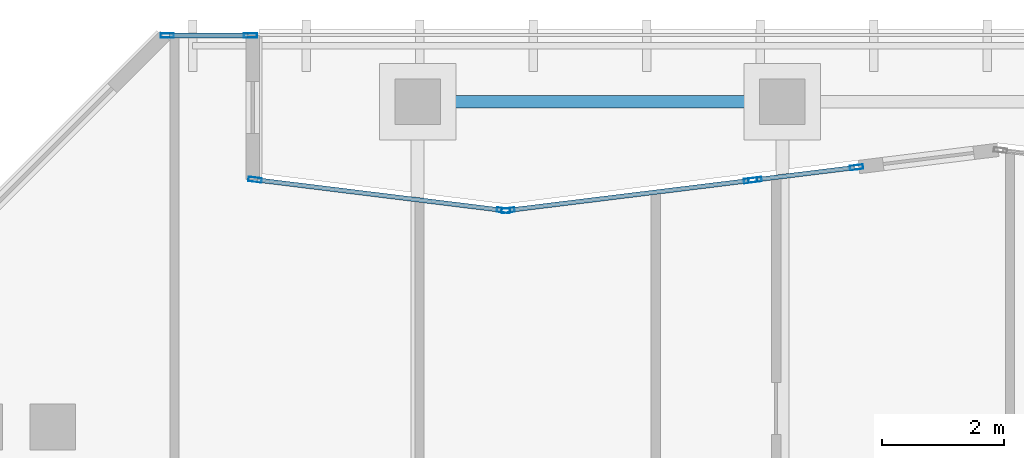
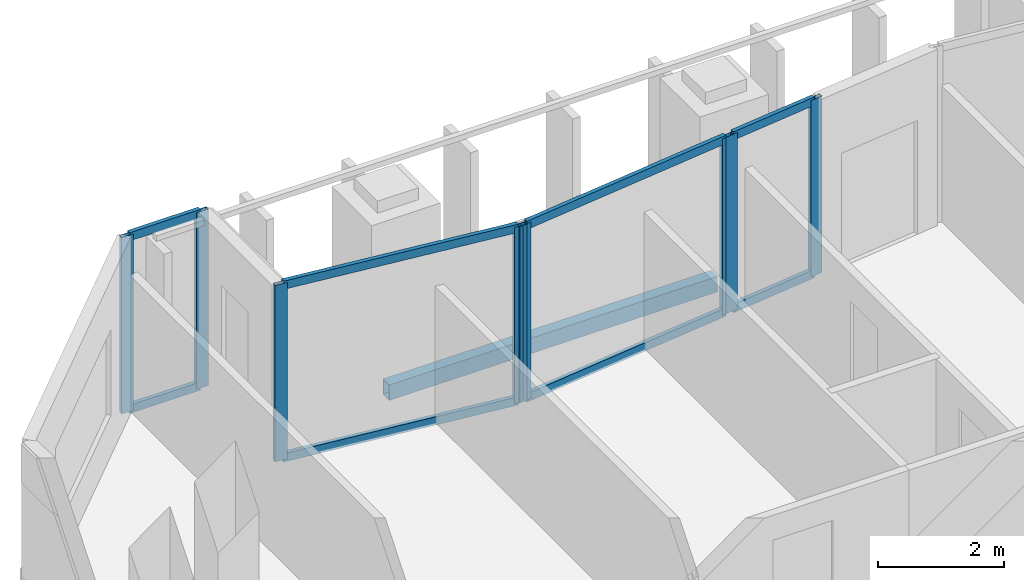
# One storey, part 10 of 31: 16 members, 1 beam, 4 elements without a shape of their own.
"""IFC4 building model written with IfcOpenShell, lengths in metres."""

from ifc_helpers import new_model, si_unit, direction, frame, origin, origin_2d, place, context, subcontext, project, spatial, hollow_rectangle, extrude, material, layer, layer_set, material_profile, profile_set, type_object, element, aggregate, save


model = new_model("IFC4")

# Units and contexts
model_context = context("Model", 3, precision=1e-05, world=origin(), true_north=direction((0.0, 1.0)))
body_context = subcontext(model_context, "Body", "Model", "MODEL_VIEW")
ifc_project = project(units=[si_unit("LENGTHUNIT", "METRE"), si_unit("AREAUNIT", "SQUARE_METRE"), si_unit("VOLUMEUNIT", "CUBIC_METRE"), si_unit("PLANEANGLEUNIT", "RADIAN"), si_unit("MASSUNIT", "GRAM", prefix="KILO")], contexts=[model_context])

# Site, building, storey
site_placement = place(None, origin())
site = spatial("IfcSite", under=ifc_project, at=site_placement, CompositionType="ELEMENT")
building_placement = place(site_placement, origin())
building = spatial("IfcBuilding", under=site, at=building_placement, Name="Tanjung Sevakor Pilgrim Tower", CompositionType="ELEMENT")
storey_placement = place(building_placement, frame((0.0, 0.0, 208.22998046875)))
storey = spatial("IfcBuildingStorey", under=building, at=storey_placement, Name="L58", CompositionType="ELEMENT", Elevation=208.22998046875)

# Beam
ifc_material_1 = material(Name="Steel S355J2", Category="steel")
ifc_material_profile_1 = material_profile(ifc_material_1, hollow_rectangle(XDim=0.199951171875, YDim=0.300048828125, WallThickness=0.012451171875, at=origin_2d()))
ifc_profile_set_1 = profile_set([ifc_material_profile_1], Name="Steel S355J2")
beam_type = type_object("IfcBeamType", Name="BM-B-SP3-RHS_300x200x12.5", PredefinedType="SPANDREL", material=ifc_profile_set_1)
beam_placement = place(storey_placement, frame((30.0, 53.949951171875, -0.369873046875), z_axis=(1.0, 0.0, 0.0), x_axis=(0.0, 1.0, 0.0)))
element("IfcBeam", 1, at=beam_placement, inside=storey, type_object=beam_type, Name="L58 Spandrel MAIN N-02", PredefinedType="SPANDREL", context=body_context, shape_type="SweptSolid", body=[
    extrude(hollow_rectangle(XDim=0.199951171875, YDim=0.300048828125, WallThickness=0.012451171875, at=origin_2d()), origin(), (0.0, 0.0, 1.0), 6.0),
])

# Curtain wall, members
ifc_material_2 = material(Name="Aluminium 6063-T6 and Low-E Glass", Category="aluminium")
ifc_layer = layer(ifc_material_2, 0.199951171875)
ifc_layer_set = layer_set([ifc_layer], Name="CW-SYS-PRAY")
curtain_wall_type = type_object("IfcCurtainWallType", Name="CW-SYS-PRAY", PredefinedType="NOTDEFINED", material=ifc_layer_set)
curtain_wall_1_placement = place(storey_placement, origin())
curtain_wall_1 = element("IfcCurtainWall", 2, at=curtain_wall_1_placement, inside=storey, type_object=curtain_wall_type, Name="L58 Curtain Wall CW-PRY-L58-28B", PredefinedType="NOTDEFINED")
ifc_material_3 = material(Name="Aluminium 6063-T6", Category="aluminium")
ifc_material_profile_2 = material_profile(ifc_material_3, hollow_rectangle(XDim=0.074951171875, YDim=0.219970703125, WallThickness=0.0048828125, at=origin_2d()))
ifc_profile_set_2 = profile_set([ifc_material_profile_2], Name="Aluminium 6063-T6")
member_type_1 = type_object("IfcMemberType", Name="TYPE-CWM-2", PredefinedType="MULLION", material=ifc_profile_set_2)
member_1_placement = place(storey_placement, frame((37.22021484375, 52.87158203125, 0.0), z_axis=(0.0, 0.0, 1.0), x_axis=(0.122528648154, -0.992464976904, 0.0)))
member_1 = element("IfcMember", 3, at=member_1_placement, type_object=member_type_1, Name="CW-PRY mullion 1", PredefinedType="MULLION", context=body_context, shape_type="SweptSolid", body=[
    extrude(hollow_rectangle(XDim=0.074951171875, YDim=0.219970703125, WallThickness=0.0048828125, at=origin_2d()), origin(), (0.0, 0.0, 1.0), 3.409912109375),
])
member_2_placement = place(storey_placement, frame((35.55078125, 52.665283203125, 0.0), z_axis=(0.0, 0.0, 1.0), x_axis=(0.122528648154, -0.992464976904, 0.0)))
member_2 = element("IfcMember", 4, at=member_2_placement, type_object=member_type_1, Name="CW-PRY mullion 2", PredefinedType="MULLION", context=body_context, shape_type="SweptSolid", body=[
    extrude(hollow_rectangle(XDim=0.074951171875, YDim=0.219970703125, WallThickness=0.0048828125, at=origin_2d()), origin(), (0.0, 0.0, 1.0), 3.409912109375),
])

curtain_wall_2_placement = place(storey_placement, origin())
curtain_wall_2 = element("IfcCurtainWall", 5, at=curtain_wall_2_placement, inside=storey, type_object=curtain_wall_type, Name="L58 Curtain Wall CW-PRY-L58-29", PredefinedType="NOTDEFINED")
member_3_placement = place(storey_placement, frame((35.476318359375, 52.65625, 0.0), z_axis=(0.0, 0.0, 1.0), x_axis=(0.122510533794, -0.992467213116, 0.0)))
member_3 = element("IfcMember", 6, at=member_3_placement, type_object=member_type_1, Name="CW-PRY mullion 1", PredefinedType="MULLION", context=body_context, shape_type="SweptSolid", body=[
    extrude(hollow_rectangle(XDim=0.074951171875, YDim=0.219970703125, WallThickness=0.0048828125, at=origin_2d()), origin(), (0.0, 0.0, 1.0), 3.409912109375),
])
member_4_placement = place(storey_placement, frame((31.4873046875, 52.163818359375, 0.0), z_axis=(0.0, 0.0, 1.0), x_axis=(0.122510533794, -0.992467213116, 0.0)))
member_4 = element("IfcMember", 7, at=member_4_placement, type_object=member_type_1, Name="CW-PRY mullion 2", PredefinedType="MULLION", context=body_context, shape_type="SweptSolid", body=[
    extrude(hollow_rectangle(XDim=0.074951171875, YDim=0.219970703125, WallThickness=0.0048828125, at=origin_2d()), origin(), (0.0, 0.0, 1.0), 3.409912109375),
])

curtain_wall_3_placement = place(storey_placement, origin())
curtain_wall_3 = element("IfcCurtainWall", 8, at=curtain_wall_3_placement, inside=storey, type_object=curtain_wall_type, Name="L58 Curtain Wall CW-PRY-L58-30", PredefinedType="NOTDEFINED")
member_5_placement = place(storey_placement, frame((31.412841796875, 52.163818359375, 0.0), z_axis=(0.0, 0.0, 1.0), x_axis=(-0.12250771458, -0.992467561116, 0.0)))
member_5 = element("IfcMember", 9, at=member_5_placement, type_object=member_type_1, Name="CW-PRY mullion 1", PredefinedType="MULLION", context=body_context, shape_type="SweptSolid", body=[
    extrude(hollow_rectangle(XDim=0.074951171875, YDim=0.219970703125, WallThickness=0.0048828125, at=origin_2d()), origin(), (0.0, 0.0, 1.0), 3.409912109375),
])
member_6_placement = place(storey_placement, frame((27.3271484375, 52.668212890625, 0.0), z_axis=(0.0, 0.0, 1.0), x_axis=(-0.12250771458, -0.992467561116, 0.0)))
member_6 = element("IfcMember", 10, at=member_6_placement, type_object=member_type_1, Name="CW-PRY mullion 2", PredefinedType="MULLION", context=body_context, shape_type="SweptSolid", body=[
    extrude(hollow_rectangle(XDim=0.074951171875, YDim=0.219970703125, WallThickness=0.0048828125, at=origin_2d()), origin(), (0.0, 0.0, 1.0), 3.409912109375),
])

curtain_wall_4_placement = place(storey_placement, origin())
curtain_wall_4 = element("IfcCurtainWall", 11, at=curtain_wall_4_placement, inside=storey, type_object=curtain_wall_type, Name="L58 Curtain Wall CW-PRY-L58-32", PredefinedType="NOTDEFINED")
member_7_placement = place(storey_placement, frame((27.25244140625, 55.0400390625, 0.0), z_axis=(0.0, 0.0, 1.0), x_axis=(0.0, -1.0, 0.0)))
member_7 = element("IfcMember", 12, at=member_7_placement, type_object=member_type_1, Name="CW-PRY mullion 1", PredefinedType="MULLION", context=body_context, shape_type="SweptSolid", body=[
    extrude(hollow_rectangle(XDim=0.074951171875, YDim=0.219970703125, WallThickness=0.0048828125, at=origin_2d()), origin(), (0.0, 0.0, 1.0), 3.409912109375),
])
member_8_placement = place(storey_placement, frame((25.883056640625, 55.0400390625, 0.0), z_axis=(0.0, 0.0, 1.0), x_axis=(0.0, -1.0, 0.0)))
member_8 = element("IfcMember", 13, at=member_8_placement, type_object=member_type_1, Name="CW-PRY mullion 2", PredefinedType="MULLION", context=body_context, shape_type="SweptSolid", body=[
    extrude(hollow_rectangle(XDim=0.074951171875, YDim=0.219970703125, WallThickness=0.0048828125, at=origin_2d()), origin(), (0.0, 0.0, 1.0), 3.409912109375),
])

# Member
ifc_material_4 = material(Name="Aluminium 6063-T6", Category="aluminium")
ifc_material_profile_3 = material_profile(ifc_material_4, hollow_rectangle(XDim=0.074951171875, YDim=0.159912109375, WallThickness=0.00439453125, at=origin_2d()))
ifc_profile_set_3 = profile_set([ifc_material_profile_3], Name="Aluminium 6063-T6")
member_type_2 = type_object("IfcMemberType", Name="TYPE-CWT-2", PredefinedType="USERDEFINED", material=ifc_profile_set_3)
member_9_placement = place(storey_placement, frame((37.182861328125, 52.866943359375, 0.03759765625), z_axis=(-0.992456792446, -0.12259492293, 0.0), x_axis=(0.12259492293, -0.992456792446, 0.0)))
member_9 = element("IfcMember", 14, at=member_9_placement, type_object=member_type_2, Name="CW-PRY transom 1.1", ObjectType="TRANSOM", PredefinedType="USERDEFINED", context=body_context, shape_type="SweptSolid", body=[
    extrude(hollow_rectangle(XDim=0.074951171875, YDim=0.159912109375, WallThickness=0.00439453125, at=origin_2d()), origin(), (0.0, 0.0, 1.0), 1.607177734375),
])

member_10_placement = place(storey_placement, frame((37.182861328125, 52.866943359375, 3.37255859375), z_axis=(-0.992456792446, -0.12259492293, 0.0), x_axis=(0.12259492293, -0.992456792446, 0.0)))
member_10 = element("IfcMember", 15, at=member_10_placement, type_object=member_type_2, Name="CW-PRY transom 1.2", ObjectType="TRANSOM", PredefinedType="USERDEFINED", context=body_context, shape_type="SweptSolid", body=[
    extrude(hollow_rectangle(XDim=0.074951171875, YDim=0.159912109375, WallThickness=0.00439453125, at=origin_2d()), origin(), (0.0, 0.0, 1.0), 1.607177734375),
])

aggregate(curtain_wall_1, [member_1, member_2, member_9, member_10])

member_11_placement = place(storey_placement, frame((35.43896484375, 52.651611328125, 0.03759765625), z_axis=(-0.992469042694, -0.122495711332, 0.0), x_axis=(0.122495711332, -0.992469042694, 0.0)))
member_11 = element("IfcMember", 16, at=member_11_placement, type_object=member_type_2, Name="CW-PRY transom 1.1", ObjectType="TRANSOM", PredefinedType="USERDEFINED", context=body_context, shape_type="SweptSolid", body=[
    extrude(hollow_rectangle(XDim=0.074951171875, YDim=0.159912109375, WallThickness=0.00439453125, at=origin_2d()), origin(), (0.0, 0.0, 1.0), 3.9443359375),
])

member_12_placement = place(storey_placement, frame((35.43896484375, 52.651611328125, 3.37255859375), z_axis=(-0.992469042694, -0.122495711332, 0.0), x_axis=(0.122495711332, -0.992469042694, 0.0)))
member_12 = element("IfcMember", 17, at=member_12_placement, type_object=member_type_2, Name="CW-PRY transom 1.2", ObjectType="TRANSOM", PredefinedType="USERDEFINED", context=body_context, shape_type="SweptSolid", body=[
    extrude(hollow_rectangle(XDim=0.074951171875, YDim=0.159912109375, WallThickness=0.00439453125, at=origin_2d()), origin(), (0.0, 0.0, 1.0), 3.9443359375),
])

aggregate(curtain_wall_2, [member_3, member_4, member_11, member_12])

member_13_placement = place(storey_placement, frame((31.37548828125, 52.16845703125, 0.03759765625), z_axis=(-0.992467228298, 0.122510410797, 0.0), x_axis=(-0.122510410797, -0.992467228298, 0.0)))
member_13 = element("IfcMember", 18, at=member_13_placement, type_object=member_type_2, Name="CW-PRY transom 1.1", ObjectType="TRANSOM", PredefinedType="USERDEFINED", context=body_context, shape_type="SweptSolid", body=[
    extrude(hollow_rectangle(XDim=0.074951171875, YDim=0.159912109375, WallThickness=0.00439453125, at=origin_2d()), origin(), (0.0, 0.0, 1.0), 4.04150390625),
])

member_14_placement = place(storey_placement, frame((31.37548828125, 52.16845703125, 3.37255859375), z_axis=(-0.992467228298, 0.122510410797, 0.0), x_axis=(-0.122510410797, -0.992467228298, 0.0)))
member_14 = element("IfcMember", 19, at=member_14_placement, type_object=member_type_2, Name="CW-PRY transom 1.2", ObjectType="TRANSOM", PredefinedType="USERDEFINED", context=body_context, shape_type="SweptSolid", body=[
    extrude(hollow_rectangle(XDim=0.074951171875, YDim=0.159912109375, WallThickness=0.00439453125, at=origin_2d()), origin(), (0.0, 0.0, 1.0), 4.04150390625),
])

aggregate(curtain_wall_3, [member_5, member_6, member_13, member_14])

member_15_placement = place(storey_placement, frame((27.215087890625, 55.0400390625, 0.03759765625), z_axis=(-1.0, 0.0, 0.0), x_axis=(0.0, -1.0, 0.0)))
member_15 = element("IfcMember", 20, at=member_15_placement, type_object=member_type_2, Name="CW-PRY transom 1.1", ObjectType="TRANSOM", PredefinedType="USERDEFINED", context=body_context, shape_type="SweptSolid", body=[
    extrude(hollow_rectangle(XDim=0.074951171875, YDim=0.159912109375, WallThickness=0.00439453125, at=origin_2d()), origin(), (0.0, 0.0, 1.0), 1.29443359375),
])

member_16_placement = place(storey_placement, frame((27.215087890625, 55.0400390625, 3.37255859375), z_axis=(-1.0, 0.0, 0.0), x_axis=(0.0, -1.0, 0.0)))
member_16 = element("IfcMember", 21, at=member_16_placement, type_object=member_type_2, Name="CW-PRY transom 1.2", ObjectType="TRANSOM", PredefinedType="USERDEFINED", context=body_context, shape_type="SweptSolid", body=[
    extrude(hollow_rectangle(XDim=0.074951171875, YDim=0.159912109375, WallThickness=0.00439453125, at=origin_2d()), origin(), (0.0, 0.0, 1.0), 1.29443359375),
])

aggregate(curtain_wall_4, [member_7, member_8, member_15, member_16])

save(model, "model.ifc")
